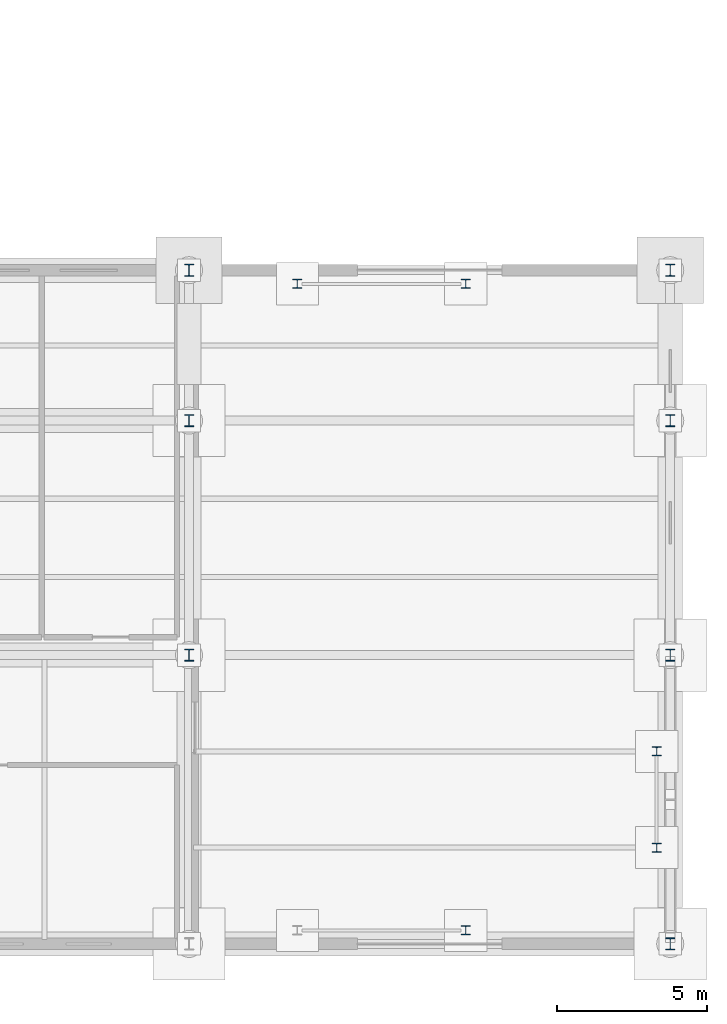
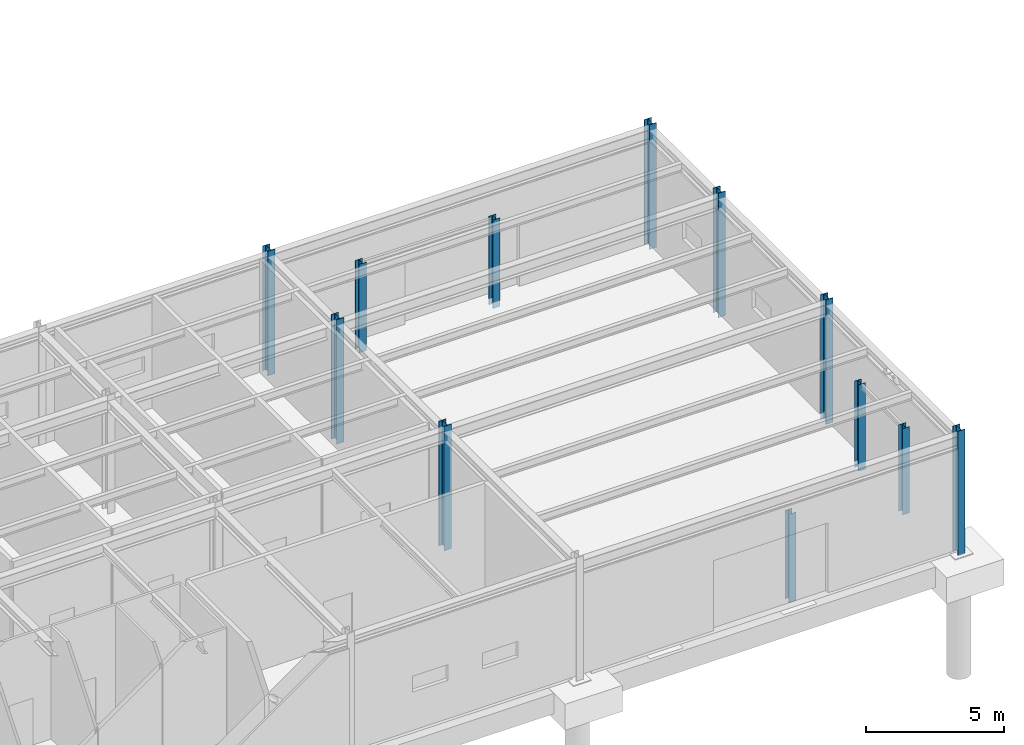
# One storey, part 19 of 109: 12 columns.
"""IFC4 building model written with IfcOpenShell, lengths in metres."""

from ifc_helpers import new_model, si_unit, direction, frame, origin, origin_2d, place, context, subcontext, project, spatial, i_section, extrude, material, material_profile, profile_set, type_object, element, save


model = new_model("IFC4")

# Units and contexts
model_context = context("Model", 3, precision=1e-05, world=origin(), true_north=direction((0.0, 1.0)))
body_context = subcontext(model_context, "Body", "Model", "MODEL_VIEW")
ifc_project = project(units=[si_unit("LENGTHUNIT", "METRE"), si_unit("AREAUNIT", "SQUARE_METRE"), si_unit("VOLUMEUNIT", "CUBIC_METRE"), si_unit("PLANEANGLEUNIT", "RADIAN"), si_unit("MASSUNIT", "GRAM", prefix="KILO")], contexts=[model_context])

# Site, building, storey
site_placement = place(None, origin())
site = spatial("IfcSite", under=ifc_project, at=site_placement, CompositionType="ELEMENT")
building_placement = place(site_placement, origin())
building = spatial("IfcBuilding", under=site, at=building_placement, Name="Nordkorset Police Headquarters", CompositionType="ELEMENT")
storey_placement = place(building_placement, origin())
storey = spatial("IfcBuildingStorey", under=building, at=storey_placement, Name="L00", CompositionType="ELEMENT", Elevation=0.0)

# Columns
ifc_material_1 = material(Name="Steel S355J2", Category="steel")
ifc_material_profile_1 = material_profile(ifc_material_1, i_section(OverallWidth=0.300048828125, OverallDepth=0.300048828125, WebThickness=0.010986328125, FlangeThickness=0.01904296875, FilletRadius=0.027099609375, at=origin_2d()), Name="HEB 300")
ifc_profile_set_1 = profile_set([ifc_material_profile_1], Name="Steel S355J2")
column_type_1 = type_object("IfcColumnType", Name="Col_HEB_300", PredefinedType="COLUMN", material=ifc_profile_set_1)
for number, where, z_axis, x_axis, name in (
    (1, (164.39990234375, 0.449951171875, -0.27001953125), (0.0, 0.0, 1.0), (1.0, 0.0, 0.0), "Portal Jamb Post LNT-VG01-1"),
    (2, (158.800048828125, 21.949951171875, -0.27001953125), (0.0, 0.0, 1.0), (1.0, 0.0, 0.0), "Portal Jamb Post LNT-VG02-0"),
    (3, (164.39990234375, 21.949951171875, -0.27001953125), (0.0, 0.0, 1.0), (1.0, 0.0, 0.0), "Portal Jamb Post LNT-VG02-1"),
):
    element("IfcColumn", number, at=place(storey_placement, frame(where, z_axis=z_axis, x_axis=x_axis)), inside=storey, type_object=column_type_1, Name=name, PredefinedType="COLUMN", context=body_context, shape_type="SweptSolid", body=[
        extrude(i_section(OverallWidth=0.300048828125, OverallDepth=0.300048828125, WebThickness=0.010986328125, FlangeThickness=0.01904296875, FilletRadius=0.027099609375, at=origin_2d()), origin(), (0.0, 0.0, 1.0), 3.919921875),
    ])
for number, where, z_axis, x_axis, name in (
    (4, (170.75, 3.199951171875, -0.27001953125), (0.0, 0.0, 1.0), (1.0, 0.0, 0.0), "Portal Jamb Post LNT-V6-E-0"),
    (5, (170.75, 6.39990234375, -0.27001953125), (0.0, 0.0, 1.0), (1.0, 0.0, 0.0), "Portal Jamb Post LNT-V6-E-1"),
):
    element("IfcColumn", number, at=place(storey_placement, frame(where, z_axis=z_axis, x_axis=x_axis)), inside=storey, type_object=column_type_1, Name=name, PredefinedType="COLUMN", context=body_context, shape_type="SweptSolid", body=[
        extrude(i_section(OverallWidth=0.300048828125, OverallDepth=0.300048828125, WebThickness=0.010986328125, FlangeThickness=0.01904296875, FilletRadius=0.027099609375, at=origin_2d()), origin(), (0.0, 0.0, 1.0), 3.820068359375),
    ])
ifc_material_2 = material(Name="Steel S355J2", Category="steel")
ifc_material_profile_2 = material_profile(ifc_material_2, i_section(OverallWidth=0.300048828125, OverallDepth=0.39990234375, WebThickness=0.013427734375, FlangeThickness=0.02392578125, FilletRadius=0.027099609375, at=origin_2d()), Name="HEB 400")
ifc_profile_set_2 = profile_set([ifc_material_profile_2], Name="Steel S355J2")
column_type_2 = type_object("IfcColumnType", Name="Col_HEB_400", PredefinedType="COLUMN", material=ifc_profile_set_2)
for number, where, z_axis, x_axis, name in (
    (6, (155.199951171875, 22.39990234375, -0.27001953125), (0.0, 0.0, 1.0), (1.0, 0.0, 0.0), "Structural Column V6_N_3 L00"),
    (7, (155.199951171875, 9.60009765625, -0.27001953125), (0.0, 0.0, 1.0), (1.0, 0.0, 0.0), "Structural Column V6_Y1_3 L00"),
    (8, (155.199951171875, 17.39990234375, -0.27001953125), (0.0, 0.0, 1.0), (1.0, 0.0, 0.0), "Structural Column V6_Y2_3 L00"),
    (9, (171.199951171875, 22.39990234375, -0.27001953125), (0.0, 0.0, 1.0), (1.0, 0.0, 0.0), "Structural Column V6_N_4 L00"),
    (10, (171.199951171875, 0.0, -0.27001953125), (0.0, 0.0, 1.0), (1.0, 0.0, 0.0), "Structural Column V6_Y0_4 L00"),
    (11, (171.199951171875, 9.60009765625, -0.27001953125), (0.0, 0.0, 1.0), (1.0, 0.0, 0.0), "Structural Column V6_Y1_4 L00"),
    (12, (171.199951171875, 17.39990234375, -0.27001953125), (0.0, 0.0, 1.0), (1.0, 0.0, 0.0), "Structural Column V6_Y2_4 L00"),
):
    element("IfcColumn", number, at=place(storey_placement, frame(where, z_axis=z_axis, x_axis=x_axis)), inside=storey, type_object=column_type_2, Name=name, PredefinedType="COLUMN", context=body_context, shape_type="SweptSolid", body=[
        extrude(i_section(OverallWidth=0.300048828125, OverallDepth=0.39990234375, WebThickness=0.013427734375, FlangeThickness=0.02392578125, FilletRadius=0.027099609375, at=origin_2d()), origin(), (0.0, 0.0, 1.0), 5.52001953125),
    ])

save(model, "model.ifc")
